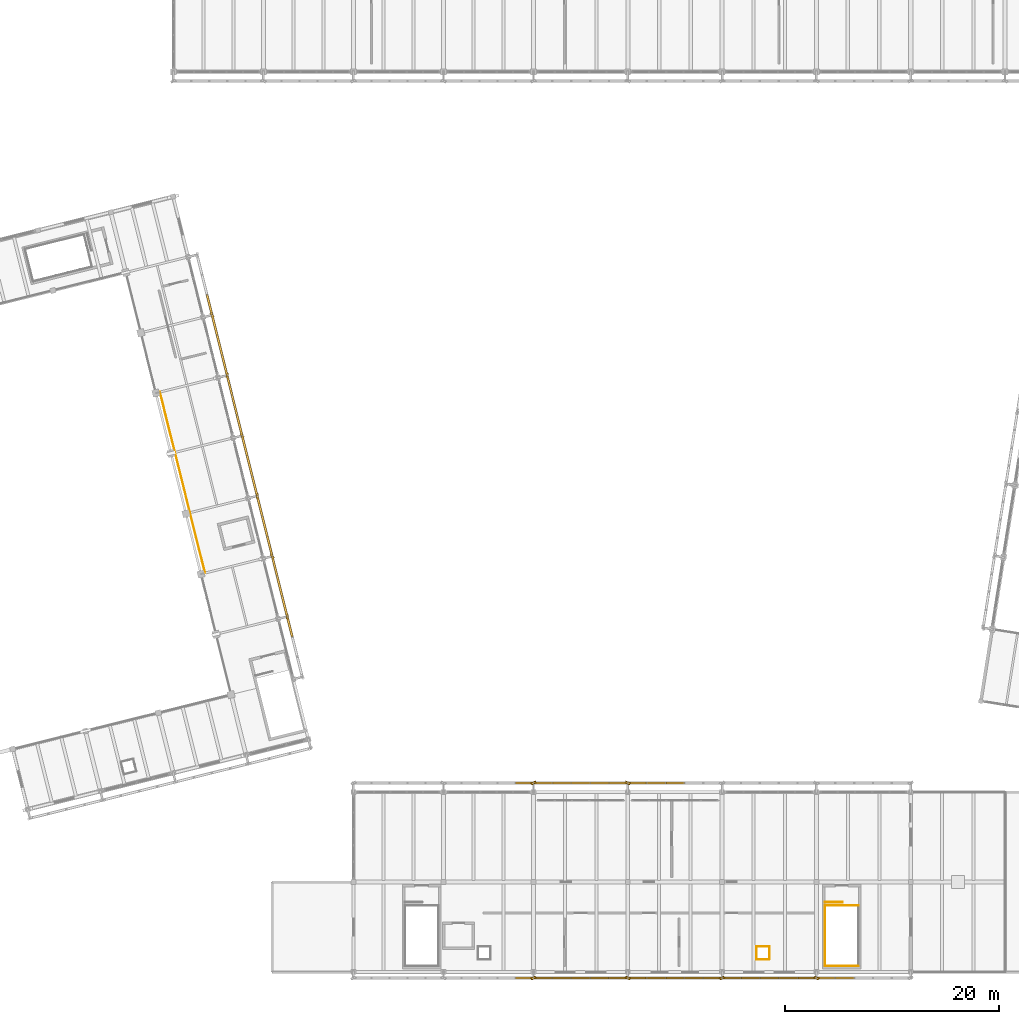
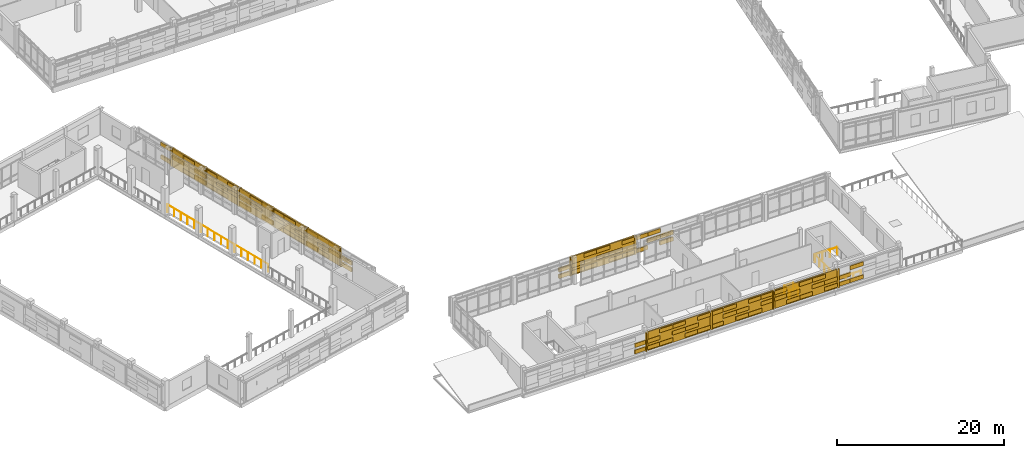
# One storey, part 109 of 117: 100 coverings, 9 railings, 9 shading devices.
"""IFC4 building model written with IfcOpenShell, lengths in metres."""

from ifc_helpers import new_model, si_unit, direction, frame, origin, origin_2d, place, context, subcontext, project, spatial, rectangle, circle, extrude, material, layer, layer_set, type_object, element, save


model = new_model("IFC4")

# Units and contexts
model_context = context("Model", 3, precision=1e-05, world=origin(), true_north=direction((0.0, 1.0)))
body_context = subcontext(model_context, "Body", "Model", "MODEL_VIEW")
ifc_project = project(units=[si_unit("LENGTHUNIT", "METRE"), si_unit("AREAUNIT", "SQUARE_METRE"), si_unit("VOLUMEUNIT", "CUBIC_METRE"), si_unit("PLANEANGLEUNIT", "RADIAN"), si_unit("MASSUNIT", "GRAM", prefix="KILO")], contexts=[model_context])

# Site, building, storey
site_placement = place(None, origin())
site = spatial("IfcSite", under=ifc_project, at=site_placement, CompositionType="ELEMENT")
building_placement = place(site_placement, origin())
building = spatial("IfcBuilding", under=site, at=building_placement, Name="Cinderway Yard Community Centre", CompositionType="ELEMENT")
storey_placement = place(building_placement, frame((0.0, 0.0, 9.0)))
storey = spatial("IfcBuildingStorey", under=building, at=storey_placement, Name="L02", CompositionType="ELEMENT", Elevation=9.0)

# Coverings
ifc_material_1 = material(Name="Brick Masonry", Category="masonry")
ifc_layer = layer(ifc_material_1, 0.18994140625, Name="Brick Masonry")
ifc_layer_set = layer_set([ifc_layer], Name="Brick Masonry")
covering_type = type_object("IfcCoveringType", Name="ENV-COV-BRK-SCREEN", PredefinedType="CLADDING", material=ifc_layer_set)
for number, where, z_axis, x_axis, name in (
    (1, (75.199951171875, 5.449951171875, 0.64990234375), (0.0, 0.0, 1.0), (-0.913545457643, -0.406736643076, 0.0), "Deconstructivist folded brick fin 0881"),
    (2, (84.0, 5.449951171875, 0.64990234375), (0.0, 0.0, 1.0), (-0.913545457643, 0.406736643076, 0.0), "Deconstructivist folded brick fin 0882"),
    (3, (92.800048828125, 5.449951171875, 0.64990234375), (0.0, 0.0, 1.0), (-0.913545457643, -0.406736643076, 0.0), "Deconstructivist folded brick fin 0883"),
    (4, (101.60009765625, 5.449951171875, 0.64990234375), (0.0, 0.0, 1.0), (-0.913545457643, 0.406736643076, 0.0), "Deconstructivist folded brick fin 0884"),
):
    element("IfcCovering", number, at=place(storey_placement, frame(where, z_axis=z_axis, x_axis=x_axis)), inside=storey, type_object=covering_type, Name=name, PredefinedType="CLADDING", context=body_context, shape_type="SweptSolid", body=[
        extrude(rectangle(XDim=0.4599609375, YDim=0.199951171875, at=origin_2d()), origin(), (0.0, 0.0, 1.0), 2.75),
    ])
for number, where, z_axis, x_axis, name in (
    (5, (74.360107421875, 5.449951171875, 0.79052734375), (0.0, 0.0, 1.0), (-1.0, 0.0, 0.0), "Open-bond perforated brick screen course 00898"),
    (6, (74.360107421875, 5.449951171875, 1.736328125), (0.0, 0.0, 1.0), (-1.0, 0.0, 0.0), "Open-bond perforated brick screen course 00902"),
):
    element("IfcCovering", number, at=place(storey_placement, frame(where, z_axis=z_axis, x_axis=x_axis)), inside=storey, type_object=covering_type, Name=name, PredefinedType="CLADDING", context=body_context, shape_type="SweptSolid", body=[
        extrude(rectangle(XDim=1.760009765625, YDim=0.18994140625, at=origin_2d()), origin(), (0.0, 0.0, 1.0), 0.576904296875),
    ])
for number, where, z_axis, x_axis, name in (
    (7, (76.080078125, 5.449951171875, 0.79052734375), (0.0, 0.0, 1.0), (-1.0, 0.0, 0.0), "Open-bond perforated brick screen course 00906"),
    (8, (77.840087890625, 5.449951171875, 0.79052734375), (0.0, 0.0, 1.0), (-1.0, 0.0, 0.0), "Open-bond perforated brick screen course 00907"),
    (9, (81.360107421875, 5.449951171875, 0.79052734375), (0.0, 0.0, 1.0), (-1.0, 0.0, 0.0), "Open-bond perforated brick screen course 00908"),
    (10, (83.1201171875, 5.449951171875, 0.79052734375), (0.0, 0.0, 1.0), (-1.0, 0.0, 0.0), "Open-bond perforated brick screen course 00909"),
    (11, (76.080078125, 5.449951171875, 1.736328125), (0.0, 0.0, 1.0), (-1.0, 0.0, 0.0), "Open-bond perforated brick screen course 00910"),
    (12, (79.60009765625, 5.449951171875, 1.736328125), (0.0, 0.0, 1.0), (-1.0, 0.0, 0.0), "Open-bond perforated brick screen course 00911"),
    (13, (81.360107421875, 5.449951171875, 1.736328125), (0.0, 0.0, 1.0), (-1.0, 0.0, 0.0), "Open-bond perforated brick screen course 00912"),
    (14, (77.840087890625, 5.449951171875, 2.6826171875), (0.0, 0.0, 1.0), (-1.0, 0.0, 0.0), "Open-bond perforated brick screen course 00913"),
    (15, (79.60009765625, 5.449951171875, 2.6826171875), (0.0, 0.0, 1.0), (-1.0, 0.0, 0.0), "Open-bond perforated brick screen course 00914"),
    (16, (83.1201171875, 5.449951171875, 2.6826171875), (0.0, 0.0, 1.0), (-1.0, 0.0, 0.0), "Open-bond perforated brick screen course 00915"),
    (17, (84.8798828125, 5.449951171875, 0.79052734375), (0.0, 0.0, 1.0), (-1.0, 0.0, 0.0), "Open-bond perforated brick screen course 00916"),
    (18, (88.39990234375, 5.449951171875, 0.79052734375), (0.0, 0.0, 1.0), (-1.0, 0.0, 0.0), "Open-bond perforated brick screen course 00917"),
    (19, (90.159912109375, 5.449951171875, 0.79052734375), (0.0, 0.0, 1.0), (-1.0, 0.0, 0.0), "Open-bond perforated brick screen course 00918"),
    (20, (86.639892578125, 5.449951171875, 1.736328125), (0.0, 0.0, 1.0), (-1.0, 0.0, 0.0), "Open-bond perforated brick screen course 00919"),
    (21, (88.39990234375, 5.449951171875, 1.736328125), (0.0, 0.0, 1.0), (-1.0, 0.0, 0.0), "Open-bond perforated brick screen course 00920"),
    (22, (91.919921875, 5.449951171875, 1.736328125), (0.0, 0.0, 1.0), (-1.0, 0.0, 0.0), "Open-bond perforated brick screen course 00921"),
    (23, (84.8798828125, 5.449951171875, 2.6826171875), (0.0, 0.0, 1.0), (-1.0, 0.0, 0.0), "Open-bond perforated brick screen course 00922"),
    (24, (86.639892578125, 5.449951171875, 2.6826171875), (0.0, 0.0, 1.0), (-1.0, 0.0, 0.0), "Open-bond perforated brick screen course 00923"),
    (25, (90.159912109375, 5.449951171875, 2.6826171875), (0.0, 0.0, 1.0), (-1.0, 0.0, 0.0), "Open-bond perforated brick screen course 00924"),
    (26, (91.919921875, 5.449951171875, 2.6826171875), (0.0, 0.0, 1.0), (-1.0, 0.0, 0.0), "Open-bond perforated brick screen course 00925"),
    (27, (95.43994140625, 5.449951171875, 0.79052734375), (0.0, 0.0, 1.0), (-1.0, 0.0, 0.0), "Open-bond perforated brick screen course 00926"),
    (28, (97.199951171875, 5.449951171875, 0.79052734375), (0.0, 0.0, 1.0), (-1.0, 0.0, 0.0), "Open-bond perforated brick screen course 00927"),
    (29, (100.719970703125, 5.449951171875, 0.79052734375), (0.0, 0.0, 1.0), (-1.0, 0.0, 0.0), "Open-bond perforated brick screen course 00928"),
    (30, (93.679931640625, 5.449951171875, 1.736328125), (0.0, 0.0, 1.0), (-1.0, 0.0, 0.0), "Open-bond perforated brick screen course 00929"),
    (31, (95.43994140625, 5.449951171875, 1.736328125), (0.0, 0.0, 1.0), (-1.0, 0.0, 0.0), "Open-bond perforated brick screen course 00930"),
    (32, (98.9599609375, 5.449951171875, 1.736328125), (0.0, 0.0, 1.0), (-1.0, 0.0, 0.0), "Open-bond perforated brick screen course 00931"),
    (33, (100.719970703125, 5.449951171875, 1.736328125), (0.0, 0.0, 1.0), (-1.0, 0.0, 0.0), "Open-bond perforated brick screen course 00932"),
    (34, (93.679931640625, 5.449951171875, 2.6826171875), (0.0, 0.0, 1.0), (-1.0, 0.0, 0.0), "Open-bond perforated brick screen course 00933"),
    (35, (97.199951171875, 5.449951171875, 2.6826171875), (0.0, 0.0, 1.0), (-1.0, 0.0, 0.0), "Open-bond perforated brick screen course 00934"),
    (36, (98.9599609375, 5.449951171875, 2.6826171875), (0.0, 0.0, 1.0), (-1.0, 0.0, 0.0), "Open-bond perforated brick screen course 00935"),
    (37, (102.47998046875, 5.449951171875, 0.79052734375), (0.0, 0.0, 1.0), (-1.0, 0.0, 0.0), "Open-bond perforated brick screen course 00936"),
    (38, (104.239990234375, 5.449951171875, 0.79052734375), (0.0, 0.0, 1.0), (-1.0, 0.0, 0.0), "Open-bond perforated brick screen course 00937"),
    (39, (102.47998046875, 5.449951171875, 1.736328125), (0.0, 0.0, 1.0), (-1.0, 0.0, 0.0), "Open-bond perforated brick screen course 00940"),
    (40, (104.239990234375, 5.449951171875, 2.6826171875), (0.0, 0.0, 1.0), (-1.0, 0.0, 0.0), "Open-bond perforated brick screen course 00943"),
):
    element("IfcCovering", number, at=place(storey_placement, frame(where, z_axis=z_axis, x_axis=x_axis)), inside=storey, type_object=covering_type, Name=name, PredefinedType="CLADDING", context=body_context, shape_type="SweptSolid", body=[
        extrude(rectangle(XDim=1.840087890625, YDim=0.18994140625, at=origin_2d()), origin(), (0.0, 0.0, 1.0), 0.576904296875),
    ])
for number, where, z_axis, x_axis, name in (
    (41, (75.199951171875, 23.64990234375, 0.64990234375), (0.0, 0.0, 1.0), (0.913545457643, 0.406736643076, 0.0), "Deconstructivist folded brick fin 0948"),
    (42, (84.0, 23.64990234375, 0.64990234375), (0.0, 0.0, 1.0), (0.913545457643, -0.406736643076, 0.0), "Deconstructivist folded brick fin 0949"),
):
    element("IfcCovering", number, at=place(storey_placement, frame(where, z_axis=z_axis, x_axis=x_axis)), inside=storey, type_object=covering_type, Name=name, PredefinedType="CLADDING", context=body_context, shape_type="SweptSolid", body=[
        extrude(rectangle(XDim=0.4599609375, YDim=0.199951171875, at=origin_2d()), origin(), (0.0, 0.0, 1.0), 2.75),
    ])
for number, where, z_axis, x_axis, name in (
    (43, (74.360107421875, 23.64990234375, 0.79052734375), (0.0, 0.0, 1.0), (1.0, 0.0, 0.0), "Open-bond perforated brick screen course 00965"),
    (44, (74.360107421875, 23.64990234375, 1.736328125), (0.0, 0.0, 1.0), (1.0, 0.0, 0.0), "Open-bond perforated brick screen course 00969"),
):
    element("IfcCovering", number, at=place(storey_placement, frame(where, z_axis=z_axis, x_axis=x_axis)), inside=storey, type_object=covering_type, Name=name, PredefinedType="CLADDING", context=body_context, shape_type="SweptSolid", body=[
        extrude(rectangle(XDim=1.760009765625, YDim=0.18994140625, at=origin_2d()), origin(), (0.0, 0.0, 1.0), 0.576904296875),
    ])
for number, where, z_axis, x_axis, name in (
    (45, (76.080078125, 23.64990234375, 0.79052734375), (0.0, 0.0, 1.0), (1.0, 0.0, 0.0), "Open-bond perforated brick screen course 00973"),
    (46, (77.840087890625, 23.64990234375, 0.79052734375), (0.0, 0.0, 1.0), (1.0, 0.0, 0.0), "Open-bond perforated brick screen course 00974"),
    (47, (81.360107421875, 23.64990234375, 0.79052734375), (0.0, 0.0, 1.0), (1.0, 0.0, 0.0), "Open-bond perforated brick screen course 00975"),
    (48, (83.1201171875, 23.64990234375, 0.79052734375), (0.0, 0.0, 1.0), (1.0, 0.0, 0.0), "Open-bond perforated brick screen course 00976"),
    (49, (76.080078125, 23.64990234375, 1.736328125), (0.0, 0.0, 1.0), (1.0, 0.0, 0.0), "Open-bond perforated brick screen course 00977"),
    (50, (79.60009765625, 23.64990234375, 1.736328125), (0.0, 0.0, 1.0), (1.0, 0.0, 0.0), "Open-bond perforated brick screen course 00978"),
    (51, (81.360107421875, 23.64990234375, 1.736328125), (0.0, 0.0, 1.0), (1.0, 0.0, 0.0), "Open-bond perforated brick screen course 00979"),
    (52, (77.840087890625, 23.64990234375, 2.6826171875), (0.0, 0.0, 1.0), (1.0, 0.0, 0.0), "Open-bond perforated brick screen course 00980"),
    (53, (79.60009765625, 23.64990234375, 2.6826171875), (0.0, 0.0, 1.0), (1.0, 0.0, 0.0), "Open-bond perforated brick screen course 00981"),
    (54, (83.1201171875, 23.64990234375, 2.6826171875), (0.0, 0.0, 1.0), (1.0, 0.0, 0.0), "Open-bond perforated brick screen course 00982"),
    (55, (84.8798828125, 23.64990234375, 0.79052734375), (0.0, 0.0, 1.0), (1.0, 0.0, 0.0), "Open-bond perforated brick screen course 00983"),
    (56, (88.39990234375, 23.64990234375, 0.79052734375), (0.0, 0.0, 1.0), (1.0, 0.0, 0.0), "Open-bond perforated brick screen course 00984"),
    (57, (86.639892578125, 23.64990234375, 1.736328125), (0.0, 0.0, 1.0), (1.0, 0.0, 0.0), "Open-bond perforated brick screen course 00986"),
    (58, (88.39990234375, 23.64990234375, 1.736328125), (0.0, 0.0, 1.0), (1.0, 0.0, 0.0), "Open-bond perforated brick screen course 00987"),
    (59, (84.8798828125, 23.64990234375, 2.6826171875), (0.0, 0.0, 1.0), (1.0, 0.0, 0.0), "Open-bond perforated brick screen course 00989"),
    (60, (86.639892578125, 23.64990234375, 2.6826171875), (0.0, 0.0, 1.0), (1.0, 0.0, 0.0), "Open-bond perforated brick screen course 00990"),
):
    element("IfcCovering", number, at=place(storey_placement, frame(where, z_axis=z_axis, x_axis=x_axis)), inside=storey, type_object=covering_type, Name=name, PredefinedType="CLADDING", context=body_context, shape_type="SweptSolid", body=[
        extrude(rectangle(XDim=1.840087890625, YDim=0.18994140625, at=origin_2d()), origin(), (0.0, 0.0, 1.0), 0.576904296875),
    ])
for number, where, z_axis, x_axis, name in (
    (61, (52.220947265625, 39.176025390625, 0.64990234375), (0.0, 0.0, 1.0), (-0.173648177667, -0.984807753012, 0.0), "Deconstructivist folded brick fin 1199"),
    (62, (50.818115234375, 44.803955078125, 0.64990234375), (0.0, 0.0, 1.0), (0.615661475326, -0.788010753607, 0.0), "Deconstructivist folded brick fin 1200"),
    (63, (49.4150390625, 50.430908203125, 0.64990234375), (0.0, 0.0, 1.0), (-0.173648177667, -0.984807753012, 0.0), "Deconstructivist folded brick fin 1201"),
    (64, (48.011962890625, 56.05908203125, 0.64990234375), (0.0, 0.0, 1.0), (0.615661475326, -0.788010753607, 0.0), "Deconstructivist folded brick fin 1202"),
    (65, (46.60888671875, 61.68701171875, 0.64990234375), (0.0, 0.0, 1.0), (-0.173648177667, -0.984807753012, 0.0), "Deconstructivist folded brick fin 1203"),
    (66, (45.2060546875, 67.31396484375, 0.64990234375), (0.0, 0.0, 1.0), (0.615661475326, -0.788010753607, 0.0), "Deconstructivist folded brick fin 1204"),
):
    element("IfcCovering", number, at=place(storey_placement, frame(where, z_axis=z_axis, x_axis=x_axis)), inside=storey, type_object=covering_type, Name=name, PredefinedType="CLADDING", context=body_context, shape_type="SweptSolid", body=[
        extrude(rectangle(XDim=0.4599609375, YDim=0.199951171875, at=origin_2d()), origin(), (0.0, 0.0, 1.0), 2.75),
    ])
for number, where, z_axis, x_axis, name in (
    (67, (52.455078125, 38.238037109375, 0.79052734375), (0.0, 0.0, 1.0), (0.2419218956, -0.970295726276, 0.0), "Open-bond perforated brick screen course 01207"),
    (68, (52.455078125, 38.238037109375, 1.736328125), (0.0, 0.0, 1.0), (0.2419218956, -0.970295726276, 0.0), "Open-bond perforated brick screen course 01209"),
    (69, (51.51904296875, 41.989990234375, 0.79052734375), (0.0, 0.0, 1.0), (0.2419218956, -0.970295726276, 0.0), "Open-bond perforated brick screen course 01212"),
    (70, (51.052001953125, 43.865966796875, 0.79052734375), (0.0, 0.0, 1.0), (0.2419218956, -0.970295726276, 0.0), "Open-bond perforated brick screen course 01213"),
    (71, (51.987060546875, 40.114013671875, 1.736328125), (0.0, 0.0, 1.0), (0.2419218956, -0.970295726276, 0.0), "Open-bond perforated brick screen course 01214"),
    (72, (51.51904296875, 41.989990234375, 1.736328125), (0.0, 0.0, 1.0), (0.2419218956, -0.970295726276, 0.0), "Open-bond perforated brick screen course 01215"),
    (73, (51.987060546875, 40.114013671875, 2.6826171875), (0.0, 0.0, 1.0), (0.2419218956, -0.970295726276, 0.0), "Open-bond perforated brick screen course 01216"),
    (74, (51.052001953125, 43.865966796875, 2.6826171875), (0.0, 0.0, 1.0), (0.2419218956, -0.970295726276, 0.0), "Open-bond perforated brick screen course 01217"),
    (75, (50.583984375, 45.741943359375, 0.79052734375), (0.0, 0.0, 1.0), (0.2419218956, -0.970295726276, 0.0), "Open-bond perforated brick screen course 01218"),
    (76, (50.116943359375, 47.616943359375, 0.79052734375), (0.0, 0.0, 1.0), (0.2419218956, -0.970295726276, 0.0), "Open-bond perforated brick screen course 01219"),
    (77, (50.583984375, 45.741943359375, 1.736328125), (0.0, 0.0, 1.0), (0.2419218956, -0.970295726276, 0.0), "Open-bond perforated brick screen course 01220"),
    (78, (49.64892578125, 49.492919921875, 1.736328125), (0.0, 0.0, 1.0), (0.2419218956, -0.970295726276, 0.0), "Open-bond perforated brick screen course 01221"),
    (79, (50.116943359375, 47.616943359375, 2.6826171875), (0.0, 0.0, 1.0), (0.2419218956, -0.970295726276, 0.0), "Open-bond perforated brick screen course 01222"),
    (80, (49.64892578125, 49.492919921875, 2.6826171875), (0.0, 0.0, 1.0), (0.2419218956, -0.970295726276, 0.0), "Open-bond perforated brick screen course 01223"),
    (81, (49.180908203125, 51.368896484375, 0.79052734375), (0.0, 0.0, 1.0), (0.2419218956, -0.970295726276, 0.0), "Open-bond perforated brick screen course 01224"),
    (82, (48.24609375, 55.12109375, 0.79052734375), (0.0, 0.0, 1.0), (0.2419218956, -0.970295726276, 0.0), "Open-bond perforated brick screen course 01225"),
    (83, (48.712890625, 53.2451171875, 1.736328125), (0.0, 0.0, 1.0), (0.2419218956, -0.970295726276, 0.0), "Open-bond perforated brick screen course 01226"),
    (84, (48.24609375, 55.12109375, 1.736328125), (0.0, 0.0, 1.0), (0.2419218956, -0.970295726276, 0.0), "Open-bond perforated brick screen course 01227"),
    (85, (49.180908203125, 51.368896484375, 2.6826171875), (0.0, 0.0, 1.0), (0.2419218956, -0.970295726276, 0.0), "Open-bond perforated brick screen course 01228"),
    (86, (48.712890625, 53.2451171875, 2.6826171875), (0.0, 0.0, 1.0), (0.2419218956, -0.970295726276, 0.0), "Open-bond perforated brick screen course 01229"),
    (87, (47.31103515625, 58.873046875, 0.79052734375), (0.0, 0.0, 1.0), (0.2419218956, -0.970295726276, 0.0), "Open-bond perforated brick screen course 01230"),
    (88, (46.843017578125, 60.7490234375, 0.79052734375), (0.0, 0.0, 1.0), (0.2419218956, -0.970295726276, 0.0), "Open-bond perforated brick screen course 01231"),
    (89, (47.778076171875, 56.9970703125, 1.736328125), (0.0, 0.0, 1.0), (0.2419218956, -0.970295726276, 0.0), "Open-bond perforated brick screen course 01232"),
    (90, (47.31103515625, 58.873046875, 1.736328125), (0.0, 0.0, 1.0), (0.2419218956, -0.970295726276, 0.0), "Open-bond perforated brick screen course 01233"),
    (91, (47.778076171875, 56.9970703125, 2.6826171875), (0.0, 0.0, 1.0), (0.2419218956, -0.970295726276, 0.0), "Open-bond perforated brick screen course 01234"),
    (92, (46.843017578125, 60.7490234375, 2.6826171875), (0.0, 0.0, 1.0), (0.2419218956, -0.970295726276, 0.0), "Open-bond perforated brick screen course 01235"),
    (93, (46.375, 62.625, 0.79052734375), (0.0, 0.0, 1.0), (0.2419218956, -0.970295726276, 0.0), "Open-bond perforated brick screen course 01236"),
    (94, (45.906982421875, 64.5, 0.79052734375), (0.0, 0.0, 1.0), (0.2419218956, -0.970295726276, 0.0), "Open-bond perforated brick screen course 01237"),
    (95, (46.375, 62.625, 1.736328125), (0.0, 0.0, 1.0), (0.2419218956, -0.970295726276, 0.0), "Open-bond perforated brick screen course 01238"),
    (96, (45.43994140625, 66.3759765625, 1.736328125), (0.0, 0.0, 1.0), (0.2419218956, -0.970295726276, 0.0), "Open-bond perforated brick screen course 01239"),
    (97, (45.906982421875, 64.5, 2.6826171875), (0.0, 0.0, 1.0), (0.2419218956, -0.970295726276, 0.0), "Open-bond perforated brick screen course 01240"),
    (98, (45.43994140625, 66.3759765625, 2.6826171875), (0.0, 0.0, 1.0), (0.2419218956, -0.970295726276, 0.0), "Open-bond perforated brick screen course 01241"),
    (99, (44.971923828125, 68.251953125, 0.79052734375), (0.0, 0.0, 1.0), (0.2419218956, -0.970295726276, 0.0), "Open-bond perforated brick screen course 01242"),
    (100, (44.971923828125, 68.251953125, 2.6826171875), (0.0, 0.0, 1.0), (0.2419218956, -0.970295726276, 0.0), "Open-bond perforated brick screen course 01246"),
):
    element("IfcCovering", number, at=place(storey_placement, frame(where, z_axis=z_axis, x_axis=x_axis)), inside=storey, type_object=covering_type, Name=name, PredefinedType="CLADDING", context=body_context, shape_type="SweptSolid", body=[
        extrude(rectangle(XDim=2.012939453125, YDim=0.18994140625, at=origin_2d()), origin(), (0.0, 0.0, 1.0), 0.576904296875),
    ])

# Shading devices
shading_device_type_1 = type_object("IfcShadingDeviceType", Name="ENV-SHD-BRICKSCREEN-A", PredefinedType="USERDEFINED", material=ifc_material_1)
shading_device_1_placement = place(storey_placement, frame((79.60009765625, 23.64990234375, 0.64990234375), z_axis=(0.0, 0.0, 1.0), x_axis=(1.0, 0.0, 0.0)))
element("IfcShadingDevice", 101, at=shading_device_1_placement, inside=storey, type_object=shading_device_type_1, Name="V3 Courtyard Perforated Brick Screen 0715", ObjectType="PERFORATED BRICK SCREEN", PredefinedType="USERDEFINED", context=body_context, shape_type="SweptSolid", body=[
    extrude(rectangle(XDim=8.60009765625, YDim=0.18994140625, at=origin_2d()), origin(), (0.0, 0.0, 1.0), 2.75),
])
shading_device_type_2 = type_object("IfcShadingDeviceType", Name="ENV-SHD-BRICKSCREEN-B", PredefinedType="USERDEFINED", material=ifc_material_1)
shading_device_2_placement = place(storey_placement, frame((51.51904296875, 41.989990234375, 0.64990234375), z_axis=(0.0, 0.0, 1.0), x_axis=(0.2419218956, -0.970295726276, 0.0)))
element("IfcShadingDevice", 102, at=shading_device_2_placement, inside=storey, type_object=shading_device_type_2, Name="Main Hall Courtyard Perforated Brick Screen 0909", ObjectType="PERFORATED BRICK SCREEN", PredefinedType="USERDEFINED", context=body_context, shape_type="SweptSolid", body=[
    extrude(rectangle(XDim=5.60009765625, YDim=0.18994140625, at=origin_2d()), origin(), (0.0, 0.0, 1.0), 2.75),
])
shading_device_3_placement = place(storey_placement, frame((50.116943359375, 47.616943359375, 0.64990234375), z_axis=(0.0, 0.0, 1.0), x_axis=(0.2419218956, -0.970295726276, 0.0)))
element("IfcShadingDevice", 103, at=shading_device_3_placement, inside=storey, type_object=shading_device_type_2, Name="Main Hall Courtyard Perforated Brick Screen 0915", ObjectType="PERFORATED BRICK SCREEN", PredefinedType="USERDEFINED", context=body_context, shape_type="SweptSolid", body=[
    extrude(rectangle(XDim=5.59912109375, YDim=0.18994140625, at=origin_2d()), origin(), (0.0, 0.0, 1.0), 2.75),
])
for number, where, z_axis, x_axis, name in (
    (104, (48.712890625, 53.2451171875, 0.64990234375), (0.0, 0.0, 1.0), (0.2419218956, -0.970295726276, 0.0), "Main Hall Courtyard Perforated Brick Screen 0921"),
    (105, (47.31103515625, 58.873046875, 0.64990234375), (0.0, 0.0, 1.0), (0.2419218956, -0.970295726276, 0.0), "Main Hall Courtyard Perforated Brick Screen 0927"),
):
    element("IfcShadingDevice", number, at=place(storey_placement, frame(where, z_axis=z_axis, x_axis=x_axis)), inside=storey, type_object=shading_device_type_2, Name=name, ObjectType="PERFORATED BRICK SCREEN", PredefinedType="USERDEFINED", context=body_context, shape_type="SweptSolid", body=[
        extrude(rectangle(XDim=5.60009765625, YDim=0.18994140625, at=origin_2d()), origin(), (0.0, 0.0, 1.0), 2.75),
    ])
shading_device_4_placement = place(storey_placement, frame((45.906982421875, 64.5, 0.64990234375), z_axis=(0.0, 0.0, 1.0), x_axis=(0.2419218956, -0.970295726276, 0.0)))
element("IfcShadingDevice", 106, at=shading_device_4_placement, inside=storey, type_object=shading_device_type_2, Name="Main Hall Courtyard Perforated Brick Screen 0933", ObjectType="PERFORATED BRICK SCREEN", PredefinedType="USERDEFINED", context=body_context, shape_type="SweptSolid", body=[
    extrude(rectangle(XDim=5.59912109375, YDim=0.18994140625, at=origin_2d()), origin(), (0.0, 0.0, 1.0), 2.75),
])
ifc_material_2 = material(Name="Aluminium 6063-T6", Category="aluminium")
shading_device_type_3 = type_object("IfcShadingDeviceType", Name="ENV-SHD-JALOUSIE", PredefinedType="JALOUSIE", material=ifc_material_2)
for number, where, z_axis, x_axis, name in (
    (107, (79.60009765625, 5.449951171875, 0.64990234375), (0.0, 0.0, 1.0), (-1.0, 0.0, 0.0), "South Rail-Yard Solar Screen 0666"),
    (108, (88.39990234375, 5.449951171875, 0.64990234375), (0.0, 0.0, 1.0), (-1.0, 0.0, 0.0), "South Rail-Yard Solar Screen 0674"),
    (109, (97.199951171875, 5.449951171875, 0.64990234375), (0.0, 0.0, 1.0), (-1.0, 0.0, 0.0), "South Rail-Yard Solar Screen 0682"),
):
    element("IfcShadingDevice", number, at=place(storey_placement, frame(where, z_axis=z_axis, x_axis=x_axis)), inside=storey, type_object=shading_device_type_3, Name=name, PredefinedType="JALOUSIE", context=body_context, shape_type="SweptSolid", body=[
        extrude(rectangle(XDim=8.60009765625, YDim=0.139892578125, at=origin_2d()), origin(), (0.0, 0.0, 1.0), 2.75),
    ])

# Railings
ifc_material_3 = material(Name="Painted Galvanised Steel", Category="steel")
railing_type_1 = type_object("IfcRailingType", Name="INT-RAL-BAL112", PredefinedType="BALUSTRADE", material=ifc_material_3)
railing_1_placement = place(storey_placement, frame((44.56005859375, 43.242919921875, 0.0)))
element("IfcRailing", 110, at=railing_1_placement, inside=storey, type_object=railing_type_1, Name="Main Hall Balcony Guard L02 016", PredefinedType="BALUSTRADE", context=body_context, shape_type="SweptSolid", body=[
    extrude(circle(Radius=0.02392578125, at=origin_2d()), frame((0.0, 0.0, 1.09619140625), z_axis=(-0.24195122955, 0.97028841203, 0.0), x_axis=(-0.97028841203, -0.24195122955, 0.0)), (0.0, 0.0, 1.0), 17.400146484375),
    extrude(circle(Radius=0.02099609375, at=origin_2d()), origin(), (0.0, 0.0, 1.0), 1.072021484375),
    extrude(circle(Radius=0.02099609375, at=origin_2d()), frame((-0.28076171875, 1.12548828125, 0.0)), (0.0, 0.0, 1.0), 1.072021484375),
    extrude(circle(Radius=0.02099609375, at=origin_2d()), frame((-0.561279296875, 2.2509765625, 0.0)), (0.0, 0.0, 1.0), 1.072021484375),
    extrude(circle(Radius=0.02099609375, at=origin_2d()), frame((-0.842041015625, 3.376708984375, 0.0)), (0.0, 0.0, 1.0), 1.072021484375),
    extrude(circle(Radius=0.02099609375, at=origin_2d()), frame((-1.12255859375, 4.502197265625, 0.0)), (0.0, 0.0, 1.0), 1.072021484375),
    extrude(circle(Radius=0.02099609375, at=origin_2d()), frame((-1.4033203125, 5.627685546875, 0.0)), (0.0, 0.0, 1.0), 1.072021484375),
    extrude(circle(Radius=0.02099609375, at=origin_2d()), frame((-1.68408203125, 6.753173828125, 0.0)), (0.0, 0.0, 1.0), 1.072021484375),
    extrude(circle(Radius=0.02099609375, at=origin_2d()), frame((-1.964599609375, 7.878662109375, 0.0)), (0.0, 0.0, 1.0), 1.072021484375),
    extrude(circle(Radius=0.02099609375, at=origin_2d()), frame((-2.245361328125, 9.00439453125, 0.0)), (0.0, 0.0, 1.0), 1.072021484375),
    extrude(circle(Radius=0.02099609375, at=origin_2d()), frame((-2.52587890625, 10.1298828125, 0.0)), (0.0, 0.0, 1.0), 1.072021484375),
    extrude(circle(Radius=0.02099609375, at=origin_2d()), frame((-2.806640625, 11.25537109375, 0.0)), (0.0, 0.0, 1.0), 1.072021484375),
    extrude(circle(Radius=0.02099609375, at=origin_2d()), frame((-3.08740234375, 12.380859375, 0.0)), (0.0, 0.0, 1.0), 1.072021484375),
    extrude(circle(Radius=0.02099609375, at=origin_2d()), frame((-3.367919921875, 13.50634765625, 0.0)), (0.0, 0.0, 1.0), 1.072021484375),
    extrude(circle(Radius=0.02099609375, at=origin_2d()), frame((-3.648681640625, 14.632080078125, 0.0)), (0.0, 0.0, 1.0), 1.072021484375),
    extrude(circle(Radius=0.02099609375, at=origin_2d()), frame((-3.92919921875, 15.757568359375, 0.0)), (0.0, 0.0, 1.0), 1.072021484375),
    extrude(circle(Radius=0.02099609375, at=origin_2d()), frame((-4.2099609375, 16.883056640625, 0.0)), (0.0, 0.0, 1.0), 1.072021484375),
])
railing_type_2 = type_object("IfcRailingType", Name="INT-RAL-GRD112", PredefinedType="GUARDRAIL", material=ifc_material_3)
railing_2_placement = place(storey_placement, frame((102.39990234375, 12.52001953125, 0.0)))
element("IfcRailing", 111, at=railing_2_placement, inside=storey, type_object=railing_type_2, Name="L02 ST-10 top well guard 1", PredefinedType="GUARDRAIL", context=body_context, shape_type="SweptSolid", body=[
    extrude(circle(Radius=0.02392578125, at=origin_2d()), frame((0.0, 0.0, 1.076171875), z_axis=(1.0, 0.0, 0.0), x_axis=(0.0, 1.0, 0.0)), (0.0, 0.0, 1.0), 1.64013671875),
    extrude(circle(Radius=0.02099609375, at=origin_2d()), origin(), (0.0, 0.0, 1.0), 1.052001953125),
    extrude(circle(Radius=0.02099609375, at=origin_2d()), frame((0.820068359375, 0.0, 0.0)), (0.0, 0.0, 1.0), 1.052001953125),
    extrude(circle(Radius=0.02099609375, at=origin_2d()), frame((1.64013671875, 0.0, 0.0)), (0.0, 0.0, 1.0), 1.052001953125),
])
railing_3_placement = place(storey_placement, frame((102.39990234375, 12.22998046875, 0.0)))
element("IfcRailing", 112, at=railing_3_placement, inside=storey, type_object=railing_type_2, Name="Service void perimeter guard L02 139", PredefinedType="GUARDRAIL", context=body_context, shape_type="SweptSolid", body=[
    extrude(circle(Radius=0.02392578125, at=origin_2d()), frame((0.0, 0.0, 1.09619140625), z_axis=(0.0, -1.0, 0.0), x_axis=(1.0, 0.0, 0.0)), (0.0, 0.0, 1.0), 5.679931640625),
    extrude(circle(Radius=0.02099609375, at=origin_2d()), origin(), (0.0, 0.0, 1.0), 1.072021484375),
    extrude(circle(Radius=0.02099609375, at=origin_2d()), frame((0.0, -1.135986328125, 0.0)), (0.0, 0.0, 1.0), 1.072021484375),
    extrude(circle(Radius=0.02099609375, at=origin_2d()), frame((0.0, -2.27197265625, 0.0)), (0.0, 0.0, 1.0), 1.072021484375),
    extrude(circle(Radius=0.02099609375, at=origin_2d()), frame((0.0, -3.407958984375, 0.0)), (0.0, 0.0, 1.0), 1.072021484375),
    extrude(circle(Radius=0.02099609375, at=origin_2d()), frame((0.0, -4.5439453125, 0.0)), (0.0, 0.0, 1.0), 1.072021484375),
    extrude(circle(Radius=0.02099609375, at=origin_2d()), frame((0.0, -5.679931640625, 0.0)), (0.0, 0.0, 1.0), 1.072021484375),
])
railing_4_placement = place(storey_placement, frame((102.39990234375, 6.550048828125, 0.0)))
element("IfcRailing", 113, at=railing_4_placement, inside=storey, type_object=railing_type_2, Name="Service void perimeter guard L02 140", PredefinedType="GUARDRAIL", context=body_context, shape_type="SweptSolid", body=[
    extrude(circle(Radius=0.02392578125, at=origin_2d()), frame((0.0, 0.0, 1.09619140625), z_axis=(1.0, 0.0, 0.0), x_axis=(0.0, 1.0, 0.0)), (0.0, 0.0, 1.0), 3.1201171875),
    extrude(circle(Radius=0.02099609375, at=origin_2d()), origin(), (0.0, 0.0, 1.0), 1.072021484375),
    extrude(circle(Radius=0.02099609375, at=origin_2d()), frame((1.0400390625, 0.0, 0.0)), (0.0, 0.0, 1.0), 1.072021484375),
    extrude(circle(Radius=0.02099609375, at=origin_2d()), frame((2.080078125, 0.0, 0.0)), (0.0, 0.0, 1.0), 1.072021484375),
    extrude(circle(Radius=0.02099609375, at=origin_2d()), frame((3.1201171875, 0.0, 0.0)), (0.0, 0.0, 1.0), 1.072021484375),
])
railing_5_placement = place(storey_placement, frame((105.52001953125, 12.22998046875, 0.0)))
element("IfcRailing", 114, at=railing_5_placement, inside=storey, type_object=railing_type_2, Name="Service void perimeter guard L02 142", PredefinedType="GUARDRAIL", context=body_context, shape_type="SweptSolid", body=[
    extrude(circle(Radius=0.02392578125, at=origin_2d()), frame((0.0, 0.0, 1.09619140625), z_axis=(-1.0, 0.0, 0.0), x_axis=(0.0, -1.0, 0.0)), (0.0, 0.0, 1.0), 3.1201171875),
    extrude(circle(Radius=0.02099609375, at=origin_2d()), origin(), (0.0, 0.0, 1.0), 1.072021484375),
    extrude(circle(Radius=0.02099609375, at=origin_2d()), frame((-1.0400390625, 0.0, 0.0)), (0.0, 0.0, 1.0), 1.072021484375),
    extrude(circle(Radius=0.02099609375, at=origin_2d()), frame((-2.080078125, 0.0, 0.0)), (0.0, 0.0, 1.0), 1.072021484375),
    extrude(circle(Radius=0.02099609375, at=origin_2d()), frame((-3.1201171875, 0.0, 0.0)), (0.0, 0.0, 1.0), 1.072021484375),
])
railing_6_placement = place(storey_placement, frame((96.0, 7.199951171875, 0.0)))
element("IfcRailing", 115, at=railing_6_placement, inside=storey, type_object=railing_type_2, Name="Service void perimeter guard L02 143", PredefinedType="GUARDRAIL", context=body_context, shape_type="SweptSolid", body=[
    extrude(circle(Radius=0.02392578125, at=origin_2d()), frame((0.0, 0.0, 1.09619140625), z_axis=(1.0, 0.0, 0.0), x_axis=(0.0, 1.0, 0.0)), (0.0, 0.0, 1.0), 1.199951171875),
    extrude(circle(Radius=0.02099609375, at=origin_2d()), origin(), (0.0, 0.0, 1.0), 1.072021484375),
    extrude(circle(Radius=0.02099609375, at=origin_2d()), frame((1.199951171875, 0.0, 0.0)), (0.0, 0.0, 1.0), 1.072021484375),
])
railing_7_placement = place(storey_placement, frame((97.199951171875, 7.199951171875, 0.0)))
element("IfcRailing", 116, at=railing_7_placement, inside=storey, type_object=railing_type_2, Name="Service void perimeter guard L02 144", PredefinedType="GUARDRAIL", context=body_context, shape_type="SweptSolid", body=[
    extrude(circle(Radius=0.02392578125, at=origin_2d()), frame((0.0, 0.0, 1.09619140625), z_axis=(0.0, 1.0, 0.0), x_axis=(-1.0, 0.0, 0.0)), (0.0, 0.0, 1.0), 1.199951171875),
    extrude(circle(Radius=0.02099609375, at=origin_2d()), origin(), (0.0, 0.0, 1.0), 1.072021484375),
    extrude(circle(Radius=0.02099609375, at=origin_2d()), frame((0.0, 1.199951171875, 0.0)), (0.0, 0.0, 1.0), 1.072021484375),
])
railing_8_placement = place(storey_placement, frame((97.199951171875, 8.39990234375, 0.0)))
element("IfcRailing", 117, at=railing_8_placement, inside=storey, type_object=railing_type_2, Name="Service void perimeter guard L02 145", PredefinedType="GUARDRAIL", context=body_context, shape_type="SweptSolid", body=[
    extrude(circle(Radius=0.02392578125, at=origin_2d()), frame((0.0, 0.0, 1.09619140625), z_axis=(-1.0, 0.0, 0.0), x_axis=(0.0, -1.0, 0.0)), (0.0, 0.0, 1.0), 1.199951171875),
    extrude(circle(Radius=0.02099609375, at=origin_2d()), origin(), (0.0, 0.0, 1.0), 1.072021484375),
    extrude(circle(Radius=0.02099609375, at=origin_2d()), frame((-1.199951171875, 0.0, 0.0)), (0.0, 0.0, 1.0), 1.072021484375),
])
railing_9_placement = place(storey_placement, frame((96.0, 8.39990234375, 0.0)))
element("IfcRailing", 118, at=railing_9_placement, inside=storey, type_object=railing_type_2, Name="Service void perimeter guard L02 146", PredefinedType="GUARDRAIL", context=body_context, shape_type="SweptSolid", body=[
    extrude(circle(Radius=0.02392578125, at=origin_2d()), frame((0.0, 0.0, 1.09619140625), z_axis=(0.0, -1.0, 0.0), x_axis=(1.0, 0.0, 0.0)), (0.0, 0.0, 1.0), 1.199951171875),
    extrude(circle(Radius=0.02099609375, at=origin_2d()), origin(), (0.0, 0.0, 1.0), 1.072021484375),
    extrude(circle(Radius=0.02099609375, at=origin_2d()), frame((0.0, -1.199951171875, 0.0)), (0.0, 0.0, 1.0), 1.072021484375),
])

save(model, "model.ifc")
